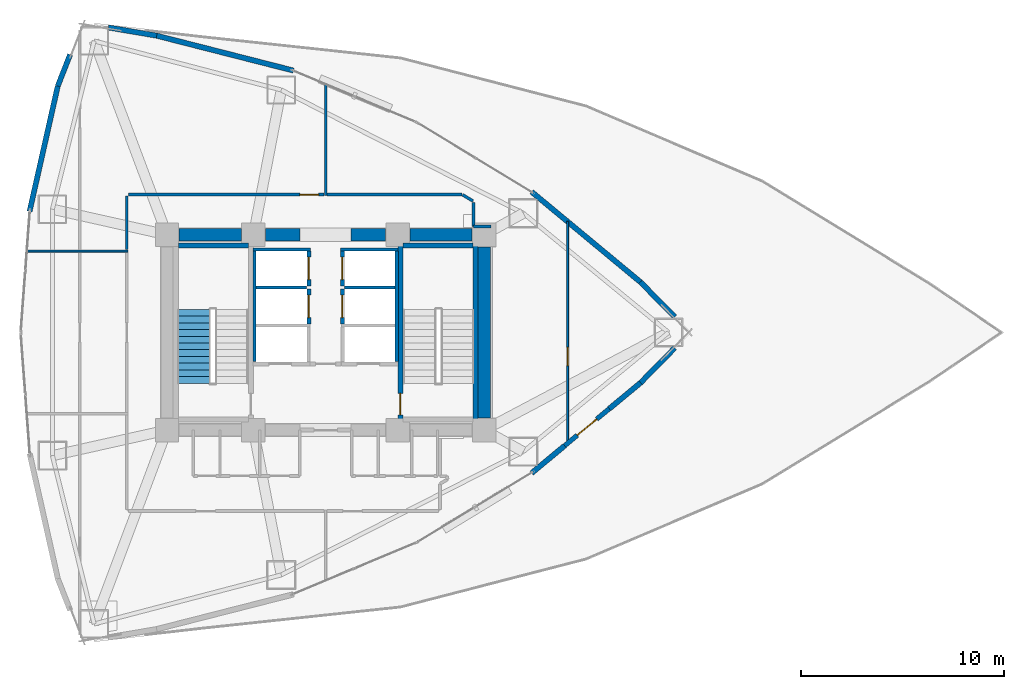
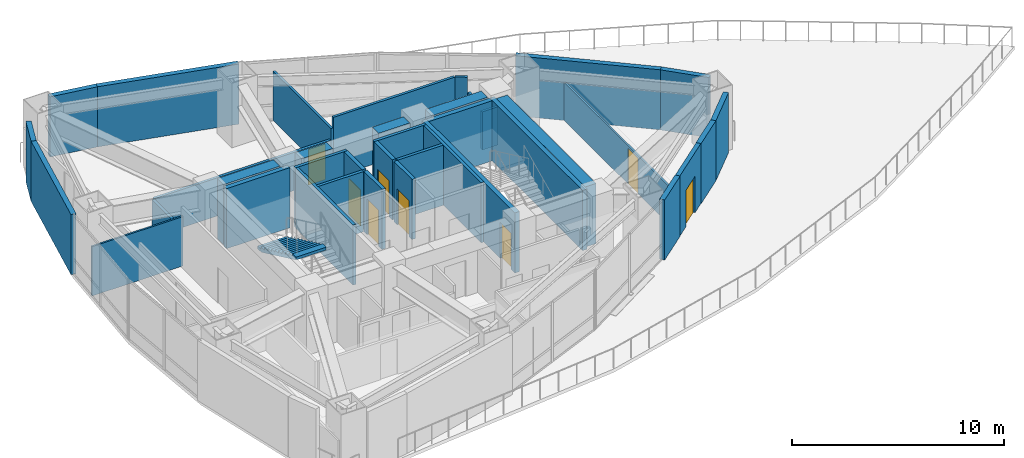
# One storey, part 15 of 19: 38 walls, 8 doors, 1 stair flight, 8 openings, 1 element without a shape of its own.
"""IFC4 building model written with IfcOpenShell, lengths in metres."""

from ifc_helpers import new_model, si_unit, direction, frame, frame_2d, origin, place, context, subcontext, project, spatial, polyline, rectangle, outline, extrude, material, layer, layer_set, type_object, element, fill, aggregate, save


model = new_model("IFC4")

# Units and contexts
model_context = context("Model", 3, precision=1e-05, world=origin(), true_north=direction((0.0, 1.0)))
body_context = subcontext(model_context, "Body", "Model", "MODEL_VIEW")
ifc_project = project(units=[si_unit("LENGTHUNIT", "METRE"), si_unit("AREAUNIT", "SQUARE_METRE"), si_unit("VOLUMEUNIT", "CUBIC_METRE"), si_unit("PLANEANGLEUNIT", "RADIAN"), si_unit("MASSUNIT", "GRAM", prefix="KILO")], contexts=[model_context])

# Site, building, storey
site_placement = place(None, origin())
site = spatial("IfcSite", under=ifc_project, at=site_placement, CompositionType="ELEMENT")
building_placement = place(site_placement, origin())
building = spatial("IfcBuilding", under=site, at=building_placement, Name="Menara Vayukalpa", CompositionType="ELEMENT")
storey_placement = place(building_placement, frame((0.0, 0.0, 68.52001953125)))
storey = spatial("IfcBuildingStorey", under=building, at=storey_placement, Name="L16", CompositionType="ELEMENT", Elevation=68.52001953125)

# Walls
ifc_material_1 = material(Name="Concrete C70/85", Category="concrete")
ifc_layer_1 = layer(ifc_material_1, 0.60009765625)
ifc_layer_set_1 = layer_set([ifc_layer_1], Name="Concrete C70/85")
wall_type_1 = type_object("IfcWallType", Name="WAL-CW600", PredefinedType="SHEAR", material=ifc_layer_set_1)
wall_1_placement = place(storey_placement, frame((18.39501953125, 26.800048828125, 0.0), z_axis=(0.0, 0.0, 1.0), x_axis=(1.0, 0.0, 0.0)))
element("IfcWall", 1, at=wall_1_placement, inside=storey, type_object=wall_type_1, Name="L16 Buttressed Core Shear Wall CWN1", PredefinedType="SHEAR", context=body_context, shape_type="SweptSolid", body=[
    extrude(rectangle(XDim=3.06005859375, YDim=0.60009765625, at=frame_2d((1.530029296875, 0.0))), origin(), (0.0, 0.0, 1.0), 3.469970703125),
])
wall_2_placement = place(storey_placement, frame((22.64501953125, 26.800048828125, 0.0), z_axis=(0.0, 0.0, 1.0), x_axis=(1.0, 0.0, 0.0)))
element("IfcWall", 2, at=wall_2_placement, inside=storey, type_object=wall_type_1, Name="L16 Buttressed Core Shear Wall CWN2", PredefinedType="SHEAR", context=body_context, shape_type="SweptSolid", body=[
    extrude(rectangle(XDim=1.705078125, YDim=0.60009765625, at=frame_2d((0.8525390625, 0.0))), origin(), (0.0, 0.0, 1.0), 3.469970703125),
])
wall_3_placement = place(storey_placement, frame((26.85009765625, 26.800048828125, 0.0), z_axis=(0.0, 0.0, 1.0), x_axis=(1.0, 0.0, 0.0)))
element("IfcWall", 3, at=wall_3_placement, inside=storey, type_object=wall_type_1, Name="L16 Buttressed Core Shear Wall CWN3", PredefinedType="SHEAR", context=body_context, shape_type="SweptSolid", body=[
    extrude(rectangle(XDim=1.704833984375, YDim=0.60009765625, at=frame_2d((0.8525390625, 0.0))), origin(), (0.0, 0.0, 1.0), 3.469970703125),
])
wall_4_placement = place(storey_placement, frame((29.7451171875, 26.800048828125, 0.0), z_axis=(0.0, 0.0, 1.0), x_axis=(1.0, 0.0, 0.0)))
element("IfcWall", 4, at=wall_4_placement, inside=storey, type_object=wall_type_1, Name="L16 Buttressed Core Shear Wall CWN4", PredefinedType="SHEAR", context=body_context, shape_type="SweptSolid", body=[
    extrude(rectangle(XDim=3.059814453125, YDim=0.60009765625, at=frame_2d((1.52978515625, 0.0))), origin(), (0.0, 0.0, 1.0), 3.469970703125),
])
wall_5_placement = place(storey_placement, frame((33.39990234375, 17.794921875, 0.0), z_axis=(0.0, 0.0, 1.0), x_axis=(0.0, 1.0, 0.0)))
element("IfcWall", 5, at=wall_5_placement, inside=storey, type_object=wall_type_1, Name="L16 Buttressed Core Shear Wall CWE1", PredefinedType="SHEAR", context=body_context, shape_type="SweptSolid", body=[
    extrude(rectangle(XDim=8.41015625, YDim=0.60009765625, at=frame_2d((4.205078125, 0.0))), origin(), (0.0, 0.0, 1.0), 3.469970703125),
])

# Wall, opening, door
ifc_material_2 = material(Name="Insulated Precast Concrete C40/50", Category="concrete")
ifc_layer_2 = layer(ifc_material_2, 0.22998046875)
ifc_layer_set_2 = layer_set([ifc_layer_2], Name="Insulated Precast Concrete C40/50")
wall_type_2 = type_object("IfcWallType", Name="WAL-EXT230", PredefinedType="PARTITIONING", material=ifc_layer_set_2)
wall_6_placement = place(storey_placement, frame((39.556396484375, 18.257568359375, 0.0), z_axis=(0.0, 0.0, 1.0), x_axis=(-0.769717209322, -0.6383850074, 0.0)))
wall_6 = element("IfcWall", 6, at=wall_6_placement, inside=storey, type_object=wall_type_2, Name="L16 Sky Terrace Access Wall", PredefinedType="PARTITIONING", context=body_context, shape_type="SweptSolid", body=[
    extrude(rectangle(XDim=2.8720703125, YDim=0.22998046875, at=frame_2d((1.43603515625, 0.0))), origin(), (0.0, 0.0, 1.0), 3.469970703125),
])
opening_1_placement = place(wall_6_placement, frame((0.81103515625, 0.0, 0.0)))
opening_1 = element("IfcOpeningElement", 7, at=opening_1_placement, cuts=wall_6, Name="Opening ED3", PredefinedType="OPENING", context=body_context, shape_type="SweptSolid", body=[
    extrude(rectangle(XDim=1.25, YDim=2.10009765625, at=frame_2d((0.625, 1.050048828125))), frame((0.0, 0.125, 0.0), z_axis=(0.0, -1.0, 0.0), x_axis=(1.0, 0.0, 0.0)), (0.0, 0.0, 1.0), 0.25),
])
ifc_material_3 = material(Name="Thermally Broken Aluminium Terrace Door", Category="aluminium")
door_type_1 = type_object("IfcDoorType", Name="DR-EX125", OperationType="NOTDEFINED", PredefinedType="DOOR", material=ifc_material_3)
door_1_placement = place(opening_1_placement, origin())
door_1 = element("IfcDoor", 8, at=door_1_placement, inside=storey, type_object=door_type_1, Name="L16 Outdoor Sky Terrace Access Door", OperationType="SINGLE_SWING_RIGHT", OverallHeight=2.10009765625, OverallWidth=1.25, PredefinedType="DOOR", context=body_context, shape_type="SweptSolid", body=[
    extrude(rectangle(XDim=1.25, YDim=2.10009765625, at=frame_2d((0.625, 1.050048828125))), frame((0.0, 0.02490234375, 0.0), z_axis=(0.0, -1.0, 0.0), x_axis=(1.0, 0.0, 0.0)), (0.0, 0.0, 1.0), 0.050048828125),
])
fill(opening_1, door_1)

# Walls
ifc_material_4 = material(Name="Insulated Precast Concrete C40/50", Category="concrete")
ifc_layer_3 = layer(ifc_material_4, 0.260009765625)
ifc_layer_set_3 = layer_set([ifc_layer_3], Name="Insulated Precast Concrete C40/50")
wall_type_3 = type_object("IfcWallType", Name="WAL-EXT260", PredefinedType="PARTITIONING", material=ifc_layer_set_3)
for number, where, z_axis, x_axis, name in (
    (9, (42.770263671875, 21.24169921875, 0.0), (0.0, 0.0, 1.0), (-0.70059851419, -0.713555689427, 0.0), "L16 Perimeter Terracotta Pier Wall 01"),
    (10, (41.08056640625, 24.479248046875, 0.0), (0.0, 0.0, 1.0), (0.70059851419, -0.713555689427, 0.0), "L16 Perimeter Terracotta Pier Wall 02"),
):
    element("IfcWall", number, at=place(storey_placement, frame(where, z_axis=z_axis, x_axis=x_axis)), inside=storey, type_object=wall_type_3, Name=name, PredefinedType="PARTITIONING", context=body_context, shape_type="SweptSolid", body=[
        extrude(rectangle(XDim=2.411865234375, YDim=0.260009765625, at=frame_2d((1.2060546875, 0.0))), origin(), (0.0, 0.0, 1.0), 3.469970703125),
    ])
for number, where, z_axis, x_axis, name in (
    (11, (35.732421875, 28.91357421875, 0.0), (0.0, 0.0, 1.0), (0.769754596928, -0.638339925517, 0.0), "L16 Perimeter Terracotta Pier Wall 03"),
    (12, (17.28173828125, 36.595703125, 0.0), (0.0, 0.0, 1.0), (0.968977974408, -0.247147092057, 0.0), "L16 Perimeter Terracotta Pier Wall 06"),
):
    element("IfcWall", number, at=place(storey_placement, frame(where, z_axis=z_axis, x_axis=x_axis)), inside=storey, type_object=wall_type_3, Name=name, PredefinedType="PARTITIONING", context=body_context, shape_type="SweptSolid", body=[
        extrude(rectangle(XDim=6.959228515625, YDim=0.260009765625, at=frame_2d((3.4794921875, 0.0))), origin(), (0.0, 0.0, 1.0), 3.469970703125),
    ])
wall_7_placement = place(storey_placement, frame((14.915283203125, 36.996826171875, 0.0), z_axis=(0.0, 0.0, 1.0), x_axis=(0.985905469923, -0.167303330437, 0.0)))
element("IfcWall", 13, at=wall_7_placement, inside=storey, type_object=wall_type_3, Name="L16 Perimeter Terracotta Pier Wall 07", PredefinedType="PARTITIONING", context=body_context, shape_type="SweptSolid", body=[
    extrude(rectangle(XDim=2.412109375, YDim=0.260009765625, at=frame_2d((1.2060546875, 0.0))), origin(), (0.0, 0.0, 1.0), 3.469970703125),
])
wall_8_placement = place(storey_placement, frame((12.427490234375, 34.119140625, 0.0), z_axis=(0.0, 0.0, 1.0), x_axis=(0.365666052462, 0.930746119023, 0.0)))
element("IfcWall", 14, at=wall_8_placement, inside=storey, type_object=wall_type_3, Name="L16 Perimeter Terracotta Pier Wall 08", PredefinedType="PARTITIONING", context=body_context, shape_type="SweptSolid", body=[
    extrude(rectangle(XDim=1.656494140625, YDim=0.260009765625, at=frame_2d((0.828125, 0.0))), origin(), (0.0, 0.0, 1.0), 3.469970703125),
])
wall_9_placement = place(storey_placement, frame((11.0400390625, 27.952392578125, 0.0), z_axis=(0.0, 0.0, 1.0), x_axis=(0.219502085231, 0.975612030768, 0.0)))
element("IfcWall", 15, at=wall_9_placement, inside=storey, type_object=wall_type_3, Name="L16 Perimeter Terracotta Pier Wall 09", PredefinedType="PARTITIONING", context=body_context, shape_type="SweptSolid", body=[
    extrude(rectangle(XDim=6.32080078125, YDim=0.260009765625, at=frame_2d((3.160400390625, 0.0))), origin(), (0.0, 0.0, 1.0), 3.469970703125),
])
wall_10_placement = place(storey_placement, frame((37.35498046875, 16.431884765625, 0.0), z_axis=(0.0, 0.0, 1.0), x_axis=(-0.769776005505, -0.638314108687, 0.0)))
element("IfcWall", 16, at=wall_10_placement, inside=storey, type_object=wall_type_3, Name="L16 Perimeter Terracotta Pier Wall 18", PredefinedType="PARTITIONING", context=body_context, shape_type="SweptSolid", body=[
    extrude(rectangle(XDim=2.10791015625, YDim=0.260009765625, at=frame_2d((1.053955078125, 0.0))), origin(), (0.0, 0.0, 1.0), 3.469970703125),
])
wall_11_placement = place(storey_placement, frame((41.08935546875, 19.52880859375, 0.0), z_axis=(0.0, 0.0, 1.0), x_axis=(-0.769727292958, -0.638372849106, 0.0)))
element("IfcWall", 17, at=wall_11_placement, inside=storey, type_object=wall_type_3, Name="L16 Perimeter Terracotta Pier Wall 19", PredefinedType="PARTITIONING", context=body_context, shape_type="SweptSolid", body=[
    extrude(rectangle(XDim=2.003662109375, YDim=0.260009765625, at=frame_2d((1.001953125, 0.0))), origin(), (0.0, 0.0, 1.0), 3.469970703125),
])
ifc_material_5 = material(Name="Lightweight Concrete Blockwork C16/20", Category="masonry")
ifc_layer_4 = layer(ifc_material_5, 0.159912109375)
ifc_layer_set_4 = layer_set([ifc_layer_4], Name="Lightweight Concrete Blockwork C16/20")
wall_type_4 = type_object("IfcWallType", Name="WAL-FR150", PredefinedType="PARTITIONING", material=ifc_layer_set_4)
wall_12_placement = place(storey_placement, frame((22.10498046875, 20.56005859375, 0.0), z_axis=(0.0, 0.0, 1.0), x_axis=(0.0, 1.0, 0.0)))
element("IfcWall", 18, at=wall_12_placement, inside=storey, type_object=wall_type_4, Name="L16 Interior Partition IW-L16-SHW-WW", PredefinedType="PARTITIONING", context=body_context, shape_type="SweptSolid", body=[
    extrude(rectangle(XDim=5.449951171875, YDim=0.159912109375, at=frame_2d((2.72509765625, 0.0))), origin(), (0.0, 0.0, 1.0), 3.469970703125),
])
wall_13_placement = place(storey_placement, frame((22.179931640625, 24.215087890625, 0.0), z_axis=(0.0, 0.0, 1.0), x_axis=(1.0, 0.0, 0.0)))
element("IfcWall", 19, at=wall_13_placement, inside=storey, type_object=wall_type_4, Name="L16 Interior Partition IW-L16-SHM-W23", PredefinedType="PARTITIONING", context=body_context, shape_type="SweptSolid", body=[
    extrude(rectangle(XDim=2.489990234375, YDim=0.159912109375, at=frame_2d((1.2451171875, 0.0))), origin(), (0.0, 0.0, 1.0), 3.469970703125),
])
wall_14_placement = place(storey_placement, frame((22.030029296875, 26.0849609375, 0.0), z_axis=(0.0, 0.0, 1.0), x_axis=(1.0, 0.0, 0.0)))
element("IfcWall", 20, at=wall_14_placement, inside=storey, type_object=wall_type_4, Name="L16 Interior Partition IW-L16-SHM-W3N", PredefinedType="PARTITIONING", context=body_context, shape_type="SweptSolid", body=[
    extrude(rectangle(XDim=2.830078125, YDim=0.159912109375, at=frame_2d((1.4150390625, 0.0))), origin(), (0.0, 0.0, 1.0), 3.469970703125),
])
wall_15_placement = place(storey_placement, frame((29.094970703125, 20.56005859375, 0.0), z_axis=(0.0, 0.0, 1.0), x_axis=(0.0, 1.0, 0.0)))
element("IfcWall", 21, at=wall_15_placement, inside=storey, type_object=wall_type_4, Name="L16 Interior Partition IW-L16-SHW-EE", PredefinedType="PARTITIONING", context=body_context, shape_type="SweptSolid", body=[
    extrude(rectangle(XDim=5.449951171875, YDim=0.159912109375, at=frame_2d((2.72509765625, 0.0))), origin(), (0.0, 0.0, 1.0), 3.469970703125),
])
wall_16_placement = place(storey_placement, frame((26.530029296875, 24.215087890625, 0.0), z_axis=(0.0, 0.0, 1.0), x_axis=(1.0, 0.0, 0.0)))
element("IfcWall", 22, at=wall_16_placement, inside=storey, type_object=wall_type_4, Name="L16 Interior Partition IW-L16-SHM-E32", PredefinedType="PARTITIONING", context=body_context, shape_type="SweptSolid", body=[
    extrude(rectangle(XDim=2.489990234375, YDim=0.159912109375, at=frame_2d((1.2451171875, 0.0))), origin(), (0.0, 0.0, 1.0), 3.469970703125),
])
wall_17_placement = place(storey_placement, frame((26.340087890625, 26.0849609375, 0.0), z_axis=(0.0, 0.0, 1.0), x_axis=(1.0, 0.0, 0.0)))
element("IfcWall", 23, at=wall_17_placement, inside=storey, type_object=wall_type_4, Name="L16 Interior Partition IW-L16-SHM-E2N", PredefinedType="PARTITIONING", context=body_context, shape_type="SweptSolid", body=[
    extrude(rectangle(XDim=2.829833984375, YDim=0.159912109375, at=frame_2d((1.4150390625, 0.0))), origin(), (0.0, 0.0, 1.0), 3.469970703125),
])

# Wall, opening, door
ifc_material_6 = material(Name="Lightweight Concrete Blockwork C16/20", Category="masonry")
ifc_layer_5 = layer(ifc_material_6, 0.199951171875)
ifc_layer_set_5 = layer_set([ifc_layer_5], Name="Lightweight Concrete Blockwork C16/20")
wall_type_5 = type_object("IfcWallType", Name="WAL-FR200", PredefinedType="PARTITIONING", material=ifc_layer_set_5)
wall_18_placement = place(storey_placement, frame((24.780029296875, 22.419921875, 0.0), z_axis=(0.0, 0.0, 1.0), x_axis=(0.0, 1.0, 0.0)))
wall_18 = element("IfcWall", 24, at=wall_18_placement, inside=storey, type_object=wall_type_5, Name="L16 Interior Partition IW-L16-SH-W2", PredefinedType="PARTITIONING", context=body_context, shape_type="SweptSolid", body=[
    extrude(rectangle(XDim=1.719970703125, YDim=0.199951171875, at=frame_2d((0.85986328125, 0.0))), origin(), (0.0, 0.0, 1.0), 3.469970703125),
])
opening_2_placement = place(wall_18_placement, frame((0.31005859375, 0.0, 0.0)))
opening_2 = element("IfcOpeningElement", 25, at=opening_2_placement, cuts=wall_18, Name="Opening LD1", PredefinedType="OPENING", context=body_context, shape_type="SweptSolid", body=[
    extrude(rectangle(XDim=1.10009765625, YDim=2.080078125, at=frame_2d((0.550048828125, 1.0400390625))), frame((0.0, 0.10986328125, 0.0), z_axis=(0.0, -1.0, 0.0), x_axis=(1.0, 0.0, 0.0)), (0.0, 0.0, 1.0), 0.219970703125),
])
ifc_material_7 = material(Name="Brushed Stainless Steel 316 Lift Door", Category="steel")
door_type_2 = type_object("IfcDoorType", Name="DR-LD110", OperationType="NOTDEFINED", PredefinedType="DOOR", material=ifc_material_7)
door_2_placement = place(opening_2_placement, origin())
door_2 = element("IfcDoor", 26, at=door_2_placement, inside=storey, type_object=door_type_2, Name="L16 Interior Door DR-L16-LD-W2", OperationType="DOUBLE_DOOR_SLIDING", OverallHeight=2.080078125, OverallWidth=1.10009765625, PredefinedType="DOOR", context=body_context, shape_type="SweptSolid", body=[
    extrude(rectangle(XDim=1.10009765625, YDim=2.080078125, at=frame_2d((0.550048828125, 1.0400390625))), frame((0.0, 0.02490234375, 0.0), z_axis=(0.0, -1.0, 0.0), x_axis=(1.0, 0.0, 0.0)), (0.0, 0.0, 1.0), 0.050048828125),
])
fill(opening_2, door_2)

wall_19_placement = place(storey_placement, frame((24.780029296875, 24.2900390625, 0.0), z_axis=(0.0, 0.0, 1.0), x_axis=(0.0, 1.0, 0.0)))
wall_19 = element("IfcWall", 27, at=wall_19_placement, inside=storey, type_object=wall_type_5, Name="L16 Interior Partition IW-L16-SH-W3", PredefinedType="PARTITIONING", context=body_context, shape_type="SweptSolid", body=[
    extrude(rectangle(XDim=1.719970703125, YDim=0.199951171875, at=frame_2d((0.85986328125, 0.0))), origin(), (0.0, 0.0, 1.0), 3.469970703125),
])
opening_3_placement = place(wall_19_placement, frame((0.31005859375, 0.0, 0.0)))
opening_3 = element("IfcOpeningElement", 28, at=opening_3_placement, cuts=wall_19, Name="Opening LD1", PredefinedType="OPENING", context=body_context, shape_type="SweptSolid", body=[
    extrude(rectangle(XDim=1.10009765625, YDim=2.080078125, at=frame_2d((0.550048828125, 1.0400390625))), frame((0.0, 0.10986328125, 0.0), z_axis=(0.0, -1.0, 0.0), x_axis=(1.0, 0.0, 0.0)), (0.0, 0.0, 1.0), 0.219970703125),
])
door_3_placement = place(opening_3_placement, origin())
door_3 = element("IfcDoor", 29, at=door_3_placement, inside=storey, type_object=door_type_2, Name="L16 Interior Door DR-L16-LD-W3", OperationType="DOUBLE_DOOR_SLIDING", OverallHeight=2.080078125, OverallWidth=1.10009765625, PredefinedType="DOOR", context=body_context, shape_type="SweptSolid", body=[
    extrude(rectangle(XDim=1.10009765625, YDim=2.080078125, at=frame_2d((0.550048828125, 1.0400390625))), frame((0.0, 0.02490234375, 0.0), z_axis=(0.0, -1.0, 0.0), x_axis=(1.0, 0.0, 0.0)), (0.0, 0.0, 1.0), 0.050048828125),
])
fill(opening_3, door_3)

wall_20_placement = place(storey_placement, frame((26.419921875, 22.419921875, 0.0), z_axis=(0.0, 0.0, 1.0), x_axis=(0.0, 1.0, 0.0)))
wall_20 = element("IfcWall", 30, at=wall_20_placement, inside=storey, type_object=wall_type_5, Name="L16 Interior Partition IW-L16-SH-E3", PredefinedType="PARTITIONING", context=body_context, shape_type="SweptSolid", body=[
    extrude(rectangle(XDim=1.719970703125, YDim=0.199951171875, at=frame_2d((0.85986328125, 0.0))), origin(), (0.0, 0.0, 1.0), 3.469970703125),
])
opening_4_placement = place(wall_20_placement, frame((0.31005859375, 0.0, 0.0)))
opening_4 = element("IfcOpeningElement", 31, at=opening_4_placement, cuts=wall_20, Name="Opening LD1", PredefinedType="OPENING", context=body_context, shape_type="SweptSolid", body=[
    extrude(rectangle(XDim=1.10009765625, YDim=2.080078125, at=frame_2d((0.550048828125, 1.0400390625))), frame((0.0, 0.10986328125, 0.0), z_axis=(0.0, -1.0, 0.0), x_axis=(1.0, 0.0, 0.0)), (0.0, 0.0, 1.0), 0.219970703125),
])
door_4_placement = place(opening_4_placement, origin())
door_4 = element("IfcDoor", 32, at=door_4_placement, inside=storey, type_object=door_type_2, Name="L16 Interior Door DR-L16-LD-E3", OperationType="DOUBLE_DOOR_SLIDING", OverallHeight=2.080078125, OverallWidth=1.10009765625, PredefinedType="DOOR", context=body_context, shape_type="SweptSolid", body=[
    extrude(rectangle(XDim=1.10009765625, YDim=2.080078125, at=frame_2d((0.550048828125, 1.0400390625))), frame((0.0, 0.02490234375, 0.0), z_axis=(0.0, -1.0, 0.0), x_axis=(1.0, 0.0, 0.0)), (0.0, 0.0, 1.0), 0.050048828125),
])
fill(opening_4, door_4)

wall_21_placement = place(storey_placement, frame((26.419921875, 24.2900390625, 0.0), z_axis=(0.0, 0.0, 1.0), x_axis=(0.0, 1.0, 0.0)))
wall_21 = element("IfcWall", 33, at=wall_21_placement, inside=storey, type_object=wall_type_5, Name="L16 Interior Partition IW-L16-SH-E2", PredefinedType="PARTITIONING", context=body_context, shape_type="SweptSolid", body=[
    extrude(rectangle(XDim=1.719970703125, YDim=0.199951171875, at=frame_2d((0.85986328125, 0.0))), origin(), (0.0, 0.0, 1.0), 3.469970703125),
])
opening_5_placement = place(wall_21_placement, frame((0.31005859375, 0.0, 0.0)))
opening_5 = element("IfcOpeningElement", 34, at=opening_5_placement, cuts=wall_21, Name="Opening LD1", PredefinedType="OPENING", context=body_context, shape_type="SweptSolid", body=[
    extrude(rectangle(XDim=1.10009765625, YDim=2.080078125, at=frame_2d((0.550048828125, 1.0400390625))), frame((0.0, 0.10986328125, 0.0), z_axis=(0.0, -1.0, 0.0), x_axis=(1.0, 0.0, 0.0)), (0.0, 0.0, 1.0), 0.219970703125),
])
door_5_placement = place(opening_5_placement, origin())
door_5 = element("IfcDoor", 35, at=door_5_placement, inside=storey, type_object=door_type_2, Name="L16 Interior Door DR-L16-LD-E2", OperationType="DOUBLE_DOOR_SLIDING", OverallHeight=2.080078125, OverallWidth=1.10009765625, PredefinedType="DOOR", context=body_context, shape_type="SweptSolid", body=[
    extrude(rectangle(XDim=1.10009765625, YDim=2.080078125, at=frame_2d((0.550048828125, 1.0400390625))), frame((0.0, 0.02490234375, 0.0), z_axis=(0.0, -1.0, 0.0), x_axis=(1.0, 0.0, 0.0)), (0.0, 0.0, 1.0), 0.050048828125),
])
fill(opening_5, door_5)

ifc_material_8 = material(Name="Glazed Demountable Office Partition", Category="glass")
ifc_layer_6 = layer(ifc_material_8, 0.094970703125)
ifc_layer_set_6 = layer_set([ifc_layer_6], Name="Glazed Demountable Office Partition")
wall_type_6 = type_object("IfcWallType", Name="WAL-PT100", PredefinedType="PARTITIONING", material=ifc_layer_set_6)
wall_22_placement = place(storey_placement, frame((37.5, 16.5390625, 0.0), z_axis=(0.0, 0.0, 1.0), x_axis=(0.0, 1.0, 0.0)))
wall_22 = element("IfcWall", 36, at=wall_22_placement, inside=storey, type_object=wall_type_6, Name="L16 Interior Partition IW-L16-RDIV04", PredefinedType="PARTITIONING", context=body_context, shape_type="SweptSolid", body=[
    extrude(rectangle(XDim=10.921875, YDim=0.094970703125, at=frame_2d((5.4609375, 0.0))), origin(), (0.0, 0.0, 1.0), 2.199951171875),
])
opening_6_placement = place(wall_22_placement, frame((3.820556640625, 0.0, 0.0)))
opening_6 = element("IfcOpeningElement", 37, at=opening_6_placement, cuts=wall_22, Name="Opening ID6", PredefinedType="OPENING", context=body_context, shape_type="SweptSolid", body=[
    extrude(rectangle(XDim=0.919921875, YDim=2.050048828125, at=frame_2d((0.4599609375, 1.02490234375))), frame((0.0, 0.057373046875, 0.0), z_axis=(0.0, -1.0, 0.0), x_axis=(1.0, 0.0, 0.0)), (0.0, 0.0, 1.0), 0.114990234375),
])
ifc_material_9 = material(Name="Acoustic Hardwood Veneer Timber Door", Category="wood")
door_type_3 = type_object("IfcDoorType", Name="DR-INT92", OperationType="NOTDEFINED", PredefinedType="DOOR", material=ifc_material_9)
door_6_placement = place(opening_6_placement, origin())
door_6 = element("IfcDoor", 38, at=door_6_placement, inside=storey, type_object=door_type_3, Name="L16 Interior Door DR-L16-STE04", OperationType="SINGLE_SWING_RIGHT", OverallHeight=2.050048828125, OverallWidth=0.919921875, PredefinedType="DOOR", context=body_context, shape_type="SweptSolid", body=[
    extrude(rectangle(XDim=0.919921875, YDim=2.050048828125, at=frame_2d((0.4599609375, 1.02490234375))), frame((0.0, 0.02490234375, 0.0), z_axis=(0.0, -1.0, 0.0), x_axis=(1.0, 0.0, 0.0)), (0.0, 0.0, 1.0), 0.050048828125),
])
fill(opening_6, door_6)

# Walls
wall_23_placement = place(storey_placement, frame((10.899658203125, 26.0, 0.0), z_axis=(0.0, 0.0, 1.0), x_axis=(1.0, 0.0, 0.0)))
element("IfcWall", 39, at=wall_23_placement, inside=storey, type_object=wall_type_6, Name="L16 Interior Partition IW-L16-RDIV06", PredefinedType="PARTITIONING", context=body_context, shape_type="SweptSolid", body=[
    extrude(rectangle(XDim=4.970458984375, YDim=0.094970703125, at=frame_2d((2.4853515625, 0.0))), origin(), (0.0, 0.0, 1.0), 2.85009765625),
])
ifc_material_10 = material(Name="Gypsum Drywall Steel Stud Assembly", Category="steel")
ifc_layer_7 = layer(ifc_material_10, 0.125)
ifc_layer_set_7 = layer_set([ifc_layer_7], Name="Gypsum Drywall Steel Stud Assembly")
wall_type_7 = type_object("IfcWallType", Name="WAL-PT125", PredefinedType="PARTITIONING", material=ifc_layer_set_7)
wall_24_placement = place(storey_placement, frame((25.60009765625, 28.72998046875, 0.0), z_axis=(0.0, 0.0, 1.0), x_axis=(0.0, 1.0, 0.0)))
element("IfcWall", 40, at=wall_24_placement, inside=storey, type_object=wall_type_7, Name="L16 Interior Partition IW-L16-RDIV03", PredefinedType="PARTITIONING", context=body_context, shape_type="SweptSolid", body=[
    extrude(rectangle(XDim=5.48046875, YDim=0.125, at=frame_2d((2.740234375, 0.0))), origin(), (0.0, 0.0, 1.0), 2.85009765625),
])
ifc_material_11 = material(Name="Gypsum Drywall Acoustic Stud Assembly", Category="masonry")
ifc_layer_8 = layer(ifc_material_11, 0.14501953125)
ifc_layer_set_8 = layer_set([ifc_layer_8], Name="Gypsum Drywall Acoustic Stud Assembly")
wall_type_8 = type_object("IfcWallType", Name="WAL-PT150", PredefinedType="PARTITIONING", material=ifc_layer_set_8)
wall_25_placement = place(storey_placement, frame((33.739990234375, 27.219970703125, 0.0), z_axis=(0.0, 0.0, 1.0), x_axis=(-1.0, 0.0, 0.0)))
element("IfcWall", 41, at=wall_25_placement, inside=storey, type_object=wall_type_8, Name="L16 Interior Partition IW-L16-CRM05-6", PredefinedType="PARTITIONING", context=body_context, shape_type="SweptSolid", body=[
    extrude(rectangle(XDim=0.860107421875, YDim=0.14501953125, at=frame_2d((0.43017578125, 0.0))), origin(), (0.0, 0.0, 1.0), 2.199951171875),
])
wall_26_placement = place(storey_placement, frame((32.8798828125, 27.219970703125, 0.0), z_axis=(0.0, 0.0, 1.0), x_axis=(0.0, 1.0, 0.0)))
element("IfcWall", 42, at=wall_26_placement, inside=storey, type_object=wall_type_8, Name="L16 Interior Partition IW-L16-CRM05-7", PredefinedType="PARTITIONING", context=body_context, shape_type="SweptSolid", body=[
    extrude(rectangle(XDim=1.1748046875, YDim=0.14501953125, at=frame_2d((0.58740234375, 0.0))), origin(), (0.0, 0.0, 1.0), 2.60009765625),
])
wall_27_placement = place(storey_placement, frame((32.841552734375, 28.463134765625, 0.0), z_axis=(0.0, 0.0, 1.0), x_axis=(-0.854807247113, 0.518945633264, 0.0)))
element("IfcWall", 43, at=wall_27_placement, inside=storey, type_object=wall_type_8, Name="L16 Interior Partition IW-L16-CRM05-8", PredefinedType="PARTITIONING", context=body_context, shape_type="SweptSolid", body=[
    extrude(rectangle(XDim=0.588134765625, YDim=0.14501953125, at=frame_2d((0.2939453125, 0.0))), origin(), (0.0, 0.0, 1.0), 3.469970703125),
])
wall_28_placement = place(storey_placement, frame((32.29736328125, 28.780029296875, 0.0), z_axis=(0.0, 0.0, 1.0), x_axis=(-1.0, 0.0, 0.0)))
element("IfcWall", 44, at=wall_28_placement, inside=storey, type_object=wall_type_8, Name="L16 Interior Partition IW-L16-CRM05-9", PredefinedType="PARTITIONING", context=body_context, shape_type="SweptSolid", body=[
    extrude(rectangle(XDim=6.62744140625, YDim=0.14501953125, at=frame_2d((3.313720703125, 0.0))), origin(), (0.0, 0.0, 1.0), 3.469970703125),
])

# Wall, opening, door
wall_29_placement = place(storey_placement, frame((25.530029296875, 28.780029296875, 0.0), z_axis=(0.0, 0.0, 1.0), x_axis=(-1.0, 0.0, 0.0)))
wall_29 = element("IfcWall", 45, at=wall_29_placement, inside=storey, type_object=wall_type_8, Name="L16 Interior Partition IW-L16-CRM06-1", PredefinedType="PARTITIONING", context=body_context, shape_type="SweptSolid", body=[
    extrude(rectangle(XDim=9.630126953125, YDim=0.14501953125, at=frame_2d((4.81494140625, 0.0))), origin(), (0.0, 0.0, 1.0), 2.199951171875),
])
opening_7_placement = place(wall_29_placement, frame((0.280029296875, 0.0, 0.0)))
opening_7 = element("IfcOpeningElement", 46, at=opening_7_placement, cuts=wall_29, Name="Opening ID6", PredefinedType="OPENING", context=body_context, shape_type="SweptSolid", body=[
    extrude(rectangle(XDim=0.919921875, YDim=2.050048828125, at=frame_2d((0.4599609375, 1.02490234375))), frame((0.0, 0.08251953125, 0.0), z_axis=(0.0, -1.0, 0.0), x_axis=(1.0, 0.0, 0.0)), (0.0, 0.0, 1.0), 0.1650390625),
])
door_7_placement = place(opening_7_placement, origin())
door_7 = element("IfcDoor", 47, at=door_7_placement, inside=storey, type_object=door_type_3, Name="L16 Interior Door DR-L16-RM06", OperationType="SINGLE_SWING_LEFT", OverallHeight=2.050048828125, OverallWidth=0.919921875, PredefinedType="DOOR", context=body_context, shape_type="SweptSolid", body=[
    extrude(rectangle(XDim=0.919921875, YDim=2.050048828125, at=frame_2d((0.4599609375, 1.02490234375))), frame((0.0, 0.02490234375, 0.0), z_axis=(0.0, -1.0, 0.0), x_axis=(1.0, 0.0, 0.0)), (0.0, 0.0, 1.0), 0.050048828125),
])
fill(opening_7, door_7)

# Walls
wall_30_placement = place(storey_placement, frame((15.820068359375, 28.699951171875, 0.0), z_axis=(0.0, 0.0, 1.0), x_axis=(0.0, -1.0, 0.0)))
element("IfcWall", 48, at=wall_30_placement, inside=storey, type_object=wall_type_8, Name="L16 Interior Partition IW-L16-CRM06-2", PredefinedType="PARTITIONING", context=body_context, shape_type="SweptSolid", body=[
    extrude(rectangle(XDim=2.6298828125, YDim=0.14501953125, at=frame_2d((1.31494140625, 0.0))), origin(), (0.0, 0.0, 1.0), 2.199951171875),
])
ifc_material_12 = material(Name="Concrete C50/60", Category="concrete")
ifc_layer_9 = layer(ifc_material_12, 0.25)
ifc_layer_set_9 = layer_set([ifc_layer_9], Name="Concrete C50/60")
wall_type_9 = type_object("IfcWallType", Name="WAL-SW250", PredefinedType="SHEAR", material=ifc_layer_set_9)
wall_31_placement = place(storey_placement, frame((18.35400390625, 26.27490234375, 0.0), z_axis=(0.0, 0.0, 1.0), x_axis=(1.0, 0.0, 0.0)))
element("IfcWall", 49, at=wall_31_placement, inside=storey, type_object=wall_type_9, Name="L16 ST1 Structural Stair Shaft Wall N", PredefinedType="SHEAR", context=body_context, shape_type="SweptSolid", body=[
    extrude(rectangle(XDim=3.446044921875, YDim=0.25, at=frame_2d((1.72314453125, 0.0))), origin(), (0.0, 0.0, 1.0), 3.469970703125),
])

# Wall, opening, door
wall_32_placement = place(storey_placement, frame((29.27490234375, 17.60009765625, 0.0), z_axis=(0.0, 0.0, 1.0), x_axis=(0.0, 1.0, 0.0)))
wall_32 = element("IfcWall", 50, at=wall_32_placement, inside=storey, type_object=wall_type_9, Name="L16 ST2 Structural Stair Shaft Wall W", PredefinedType="SHEAR", context=body_context, shape_type="SweptSolid", body=[
    extrude(rectangle(XDim=8.7998046875, YDim=0.25, at=frame_2d((4.39990234375, 0.0))), origin(), (0.0, 0.0, 1.0), 3.469970703125),
])
opening_8_placement = place(wall_32_placement, frame((0.35009765625, 0.0, 0.0)))
opening_8 = element("IfcOpeningElement", 51, at=opening_8_placement, cuts=wall_32, Name="Opening ID1", PredefinedType="OPENING", context=body_context, shape_type="SweptSolid", body=[
    extrude(rectangle(XDim=1.050048828125, YDim=2.080078125, at=frame_2d((0.52490234375, 1.0400390625))), frame((0.0, 0.135009765625, 0.0), z_axis=(0.0, -1.0, 0.0), x_axis=(1.0, 0.0, 0.0)), (0.0, 0.0, 1.0), 0.27001953125),
])
ifc_material_13 = material(Name="Fire-Rated Powder-Coated Steel Door", Category="steel")
door_type_4 = type_object("IfcDoorType", Name="DR-FD120", OperationType="NOTDEFINED", PredefinedType="DOOR", material=ifc_material_13)
door_8_placement = place(opening_8_placement, origin())
door_8 = element("IfcDoor", 52, at=door_8_placement, inside=storey, type_object=door_type_4, Name="L16 Stair Exit Door DR-L16-ST2", OperationType="SINGLE_SWING_RIGHT", OverallHeight=2.080078125, OverallWidth=1.050048828125, PredefinedType="DOOR", context=body_context, shape_type="SweptSolid", body=[
    extrude(rectangle(XDim=1.050048828125, YDim=2.080078125, at=frame_2d((0.52490234375, 1.0400390625))), frame((0.0, 0.02490234375, 0.0), z_axis=(0.0, -1.0, 0.0), x_axis=(1.0, 0.0, 0.0)), (0.0, 0.0, 1.0), 0.050048828125),
])
fill(opening_8, door_8)

# Walls
wall_33_placement = place(storey_placement, frame((32.970947265625, 17.60009765625, 0.0), z_axis=(0.0, 0.0, 1.0), x_axis=(0.0, 1.0, 0.0)))
element("IfcWall", 53, at=wall_33_placement, inside=storey, type_object=wall_type_9, Name="L16 ST2 Structural Stair Shaft Wall E", PredefinedType="SHEAR", context=body_context, shape_type="SweptSolid", body=[
    extrude(rectangle(XDim=8.7998046875, YDim=0.25, at=frame_2d((4.39990234375, 0.0))), origin(), (0.0, 0.0, 1.0), 3.469970703125),
])
wall_34_placement = place(storey_placement, frame((29.39990234375, 26.27490234375, 0.0), z_axis=(0.0, 0.0, 1.0), x_axis=(1.0, 0.0, 0.0)))
element("IfcWall", 54, at=wall_34_placement, inside=storey, type_object=wall_type_9, Name="L16 ST2 Structural Stair Shaft Wall N", PredefinedType="SHEAR", context=body_context, shape_type="SweptSolid", body=[
    extrude(rectangle(XDim=3.446044921875, YDim=0.25, at=frame_2d((1.72314453125, 0.0))), origin(), (0.0, 0.0, 1.0), 3.469970703125),
])

# Stair, stair flight
ifc_material_14 = material(Name="Precast Concrete C40/50", Category="concrete")
stair_type = type_object("IfcStairType", Name="STR-T04", PredefinedType="DOUBLE_RETURN_STAIR", material=ifc_material_14)
stair_placement = place(storey_placement, origin())
stair = element("IfcStair", 55, at=stair_placement, inside=storey, type_object=stair_type, Name="L16 Core Exit Stair ST-1", PredefinedType="DOUBLE_RETURN_STAIR")
ifc_material_15 = material(Name="Precast Concrete C40/50", Category="concrete")
stair_flight_type = type_object("IfcStairFlightType", Name="STF-T04", PredefinedType="STRAIGHT", material=ifc_material_15)
stair_flight_placement = place(storey_placement, frame((19.125, 23.1298828125, 1.85986328125), z_axis=(0.0, 0.0, 1.0), x_axis=(0.0, -1.0, 0.0)))
stair_flight = element("IfcStairFlight", 56, at=stair_flight_placement, type_object=stair_flight_type, Name="ST-1 flight 2", NumberOfRisers=12, NumberOfTreads=11, PredefinedType="STRAIGHT", RiserHeight=0.155, TreadLength=0.33, context=body_context, shape_type="SweptSolid", body=[
    extrude(outline(polyline([(0.0, 0.0), (0.0, 0.155029296875), (0.330078125, 0.155029296875), (0.330078125, 0.31005859375), (0.659912109375, 0.31005859375), (0.659912109375, 0.465087890625), (0.989990234375, 0.465087890625), (0.989990234375, 0.6201171875), (1.320068359375, 0.6201171875), (1.320068359375, 0.77490234375), (1.64990234375, 0.77490234375), (1.64990234375, 0.929931640625), (1.97998046875, 0.929931640625), (1.97998046875, 1.0849609375), (2.31005859375, 1.0849609375), (2.31005859375, 1.239990234375), (2.639892578125, 1.239990234375), (2.639892578125, 1.39501953125), (2.969970703125, 1.39501953125), (2.969970703125, 1.550048828125), (3.300048828125, 1.550048828125), (3.300048828125, 1.705078125), (3.6298828125, 1.705078125), (3.6298828125, 1.860107421875), (3.6298828125, 1.539306640625), (0.3525390625, 0.0), (0.0, 0.0)])), frame((0.0, 0.824951171875, 0.0), z_axis=(0.0, -1.0, 0.0), x_axis=(1.0, 0.0, 0.0)), (0.0, 0.0, 1.0), 1.64990234375),
])
aggregate(stair, [stair_flight])

save(model, "model.ifc")
